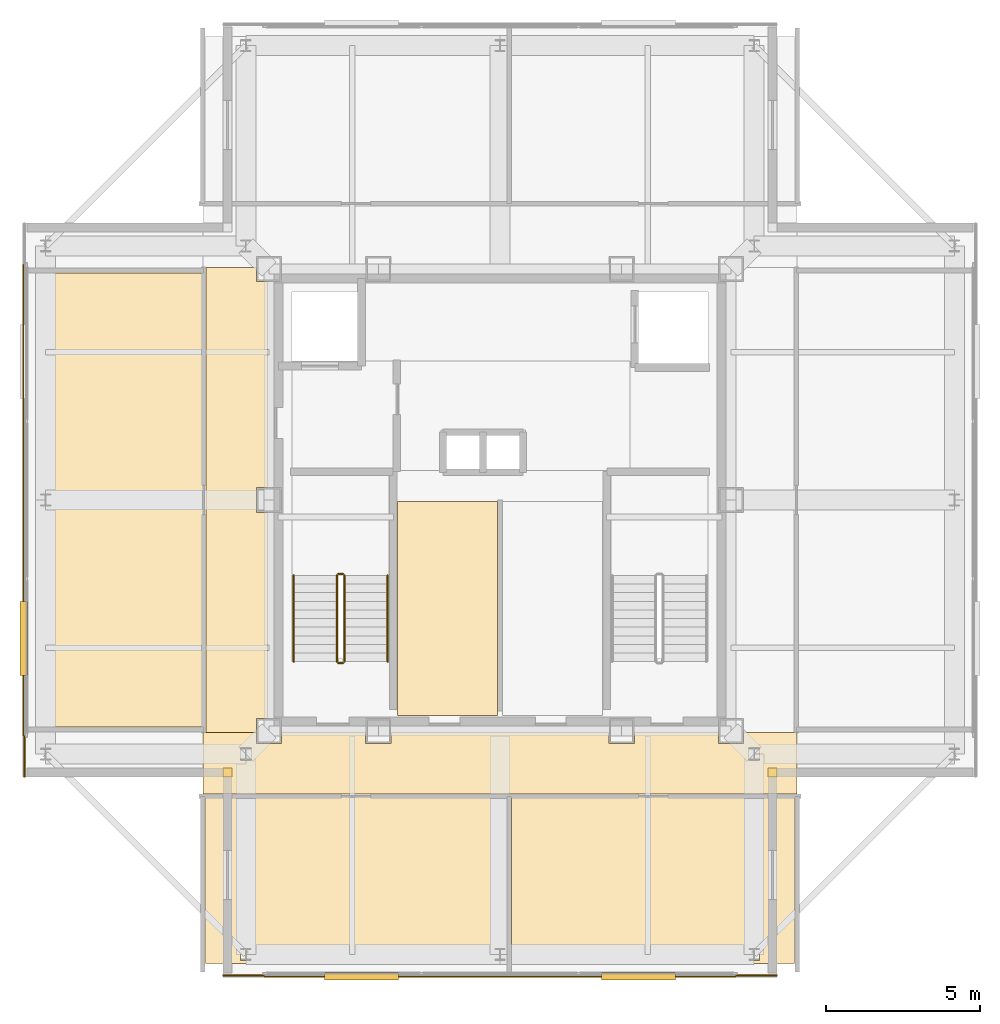
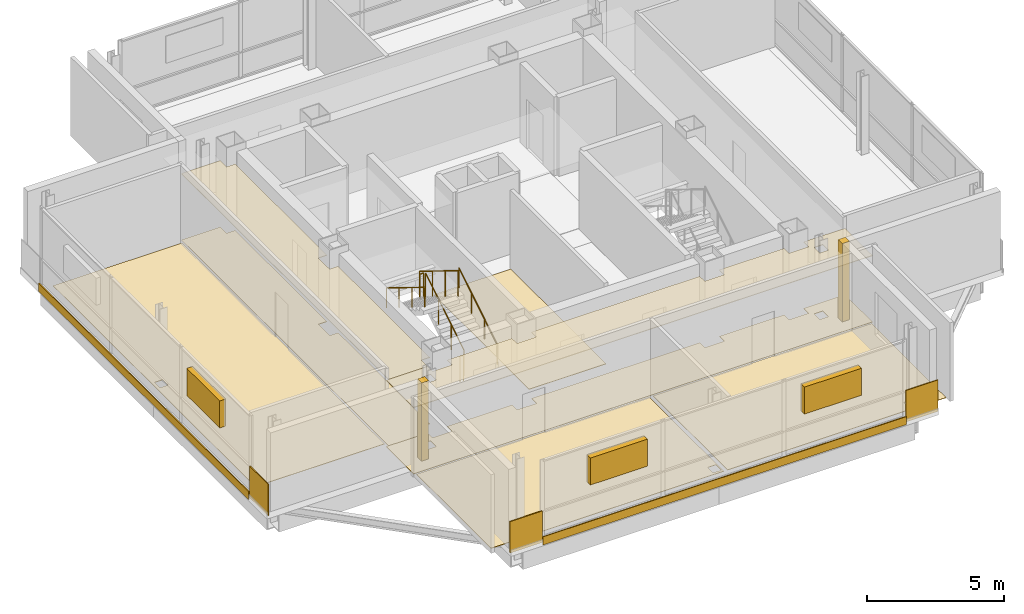
# One storey, part 8 of 10: 15 coverings, 6 railings, 3 shading devices.
"""IFC4 building model written with IfcOpenShell, lengths in metres."""

from ifc_helpers import new_model, si_unit, direction, frame, frame_2d, origin, origin_2d, place, context, subcontext, project, spatial, polyline, rectangle, circle, outline, extrude, material, layer, layer_set, type_object, element, save


model = new_model("IFC4")

# Units and contexts
model_context = context("Model", 3, precision=1e-05, world=origin(), true_north=direction((0.0, 1.0)))
body_context = subcontext(model_context, "Body", "Model", "MODEL_VIEW")
ifc_project = project(units=[si_unit("LENGTHUNIT", "METRE"), si_unit("AREAUNIT", "SQUARE_METRE"), si_unit("VOLUMEUNIT", "CUBIC_METRE"), si_unit("PLANEANGLEUNIT", "RADIAN"), si_unit("MASSUNIT", "GRAM", prefix="KILO")], contexts=[model_context])

# Site, building, storey
site_placement = place(None, origin())
site = spatial("IfcSite", under=ifc_project, at=site_placement, CompositionType="ELEMENT")
building_placement = place(site_placement, origin())
building = spatial("IfcBuilding", under=site, at=building_placement, Name="Trevonay Congress Spire", CompositionType="ELEMENT")
storey_placement = place(building_placement, frame((0.0, 0.0, 319.800048828125)))
storey = spatial("IfcBuildingStorey", under=building, at=storey_placement, Name="L84", CompositionType="ELEMENT", Elevation=319.800048828125)

# Coverings
ifc_material_1 = material(Name="Acoustic Mineral Fibre Board", Category="gypsum")
ifc_layer_1 = layer(ifc_material_1, 0.02490234375, Name="Acoustic Mineral Fibre Board")
ifc_layer_set_1 = layer_set([ifc_layer_1], Name="Acoustic Mineral Fibre Board")
covering_type_1 = type_object("IfcCoveringType", Name="COV-CEIL-ACOUSTIC", PredefinedType="CEILING", material=ifc_layer_set_1)
covering_1_placement = place(storey_placement, frame((0.0, 0.0, 2.949951171875)))
element("IfcCovering", 1, at=covering_1_placement, inside=storey, type_object=covering_type_1, Name="L84 Crown Gallery Corridor South acoustic suspended ceiling", PredefinedType="CEILING", context=body_context, shape_type="SweptSolid", body=[
    extrude(outline(polyline([(9.64990234375, -7.550048828125), (9.64990234375, -9.550048828125), (-9.64990234375, -9.550048828125), (-9.64990234375, -7.550048828125), (-7.909912109375, -7.550048828125), (-7.909912109375, -7.909912109375), (-7.090087890625, -7.909912109375), (-7.090087890625, -7.550048828125), (-4.360107421875, -7.550048828125), (-4.360107421875, -7.909912109375), (-3.5400390625, -7.909912109375), (-3.5400390625, -7.550048828125), (3.5400390625, -7.550048828125), (3.5400390625, -7.909912109375), (4.360107421875, -7.909912109375), (4.360107421875, -7.550048828125), (7.090087890625, -7.550048828125), (7.090087890625, -7.909912109375), (7.909912109375, -7.909912109375), (7.909912109375, -7.550048828125), (9.64990234375, -7.550048828125)]), holes=[polyline([(-8.429931640625, -8.04345703125), (-8.429931640625, -8.45654296875), (-8.070068359375, -8.45654296875), (-8.070068359375, -8.04345703125), (-8.429931640625, -8.04345703125)]), polyline([(8.429931640625, -8.04345703125), (8.070068359375, -8.04345703125), (8.070068359375, -8.45654296875), (8.429931640625, -8.45654296875), (8.429931640625, -8.04345703125)])]), origin(), (0.0, 0.0, 1.0), 0.02490234375),
])
covering_2_placement = place(storey_placement, frame((0.0, 0.0, 2.949951171875)))
element("IfcCovering", 2, at=covering_2_placement, inside=storey, type_object=covering_type_1, Name="L84 Crown Gallery Corridor West acoustic suspended ceiling", PredefinedType="CEILING", context=body_context, shape_type="SweptSolid", body=[
    extrude(outline(polyline([(-9.550048828125, 7.550048828125), (-7.909912109375, 7.550048828125), (-7.909912109375, 7.090087890625), (-7.550048828125, 7.090087890625), (-7.550048828125, 0.409912109375), (-7.909912109375, 0.409912109375), (-7.909912109375, -0.409912109375), (-7.550048828125, -0.409912109375), (-7.550048828125, -7.090087890625), (-7.909912109375, -7.090087890625), (-7.909912109375, -7.550048828125), (-9.550048828125, -7.550048828125), (-9.550048828125, 7.550048828125)])), origin(), (0.0, 0.0, 1.0), 0.02490234375),
])
ifc_material_2 = material(Name="Polished Granite Floor Tile", Category="masonry")
ifc_layer_2 = layer(ifc_material_2, 0.02001953125, Name="Polished Granite Floor Tile")
ifc_layer_set_2 = layer_set([ifc_layer_2], Name="Polished Granite Floor Tile")
covering_type_2 = type_object("IfcCoveringType", Name="COV-FLOOR-STONE", PredefinedType="FLOORING", material=ifc_layer_set_2)
covering_3_placement = place(storey_placement, origin())
element("IfcCovering", 3, at=covering_3_placement, inside=storey, type_object=covering_type_2, Name="L84 Core Server and IT Hub floor finish", PredefinedType="FLOORING", context=body_context, shape_type="SweptSolid", body=[
    extrude(outline(polyline([(-3.320068359375, -7.0), (-0.080078125, -7.0), (-0.080078125, -0.050048828125), (-3.320068359375, -0.050048828125), (-3.320068359375, -7.0)])), origin(), (0.0, 0.0, 1.0), 0.02001953125),
])
covering_4_placement = place(storey_placement, origin())
element("IfcCovering", 4, at=covering_4_placement, inside=storey, type_object=covering_type_2, Name="L84 Crown Gallery Corridor South floor finish", PredefinedType="FLOORING", context=body_context, shape_type="SweptSolid", body=[
    extrude(outline(polyline([(9.64990234375, -7.550048828125), (9.64990234375, -9.550048828125), (-9.64990234375, -9.550048828125), (-9.64990234375, -7.550048828125), (-7.909912109375, -7.550048828125), (-7.909912109375, -7.909912109375), (-7.090087890625, -7.909912109375), (-7.090087890625, -7.550048828125), (-4.360107421875, -7.550048828125), (-4.360107421875, -7.909912109375), (-3.5400390625, -7.909912109375), (-3.5400390625, -7.550048828125), (3.5400390625, -7.550048828125), (3.5400390625, -7.909912109375), (4.360107421875, -7.909912109375), (4.360107421875, -7.550048828125), (7.090087890625, -7.550048828125), (7.090087890625, -7.909912109375), (7.909912109375, -7.909912109375), (7.909912109375, -7.550048828125), (9.64990234375, -7.550048828125)]), holes=[polyline([(-8.429931640625, -8.04345703125), (-8.429931640625, -8.45654296875), (-8.070068359375, -8.45654296875), (-8.070068359375, -8.04345703125), (-8.429931640625, -8.04345703125)]), polyline([(8.429931640625, -8.04345703125), (8.070068359375, -8.04345703125), (8.070068359375, -8.45654296875), (8.429931640625, -8.45654296875), (8.429931640625, -8.04345703125)])]), origin(), (0.0, 0.0, 1.0), 0.02001953125),
])
covering_5_placement = place(storey_placement, origin())
element("IfcCovering", 5, at=covering_5_placement, inside=storey, type_object=covering_type_2, Name="L84 Crown Gallery Corridor West floor finish", PredefinedType="FLOORING", context=body_context, shape_type="SweptSolid", body=[
    extrude(outline(polyline([(-9.550048828125, 7.550048828125), (-7.909912109375, 7.550048828125), (-7.909912109375, 7.090087890625), (-7.550048828125, 7.090087890625), (-7.550048828125, 0.409912109375), (-7.909912109375, 0.409912109375), (-7.909912109375, -0.409912109375), (-7.550048828125, -0.409912109375), (-7.550048828125, -7.090087890625), (-7.909912109375, -7.090087890625), (-7.909912109375, -7.550048828125), (-9.550048828125, -7.550048828125), (-9.550048828125, 7.550048828125)])), origin(), (0.0, 0.0, 1.0), 0.02001953125),
])
covering_6_placement = place(storey_placement, origin())
element("IfcCovering", 6, at=covering_6_placement, inside=storey, type_object=covering_type_2, Name="L84 Crown Cooling Tower Plant floor finish", PredefinedType="FLOORING", context=body_context, shape_type="SweptSolid", body=[
    extrude(outline(polyline([(-9.570068359375, -9.6201171875), (0.219970703125, -9.6201171875), (0.219970703125, -15.050048828125), (-9.570068359375, -15.050048828125), (-9.570068359375, -9.6201171875)]), holes=[polyline([(-8.4208984375, -14.946044921875), (-8.0791015625, -14.946044921875), (-8.0791015625, -14.553955078125), (-8.4208984375, -14.553955078125), (-8.4208984375, -14.946044921875)]), polyline([(-0.1708984375, -14.946044921875), (0.1708984375, -14.946044921875), (0.1708984375, -14.553955078125), (-0.1708984375, -14.553955078125), (-0.1708984375, -14.946044921875)])]), origin(), (0.0, 0.0, 1.0), 0.02001953125),
])
covering_7_placement = place(storey_placement, origin())
element("IfcCovering", 7, at=covering_7_placement, inside=storey, type_object=covering_type_2, Name="L84 Water Treatment Plant floor finish", PredefinedType="FLOORING", context=body_context, shape_type="SweptSolid", body=[
    extrude(outline(polyline([(0.3798828125, -9.6201171875), (9.570068359375, -9.6201171875), (9.570068359375, -15.050048828125), (0.3798828125, -15.050048828125), (0.3798828125, -9.6201171875)]), holes=[polyline([(8.4208984375, -14.946044921875), (8.4208984375, -14.553955078125), (8.0791015625, -14.553955078125), (8.0791015625, -14.946044921875), (8.4208984375, -14.946044921875)])]), origin(), (0.0, 0.0, 1.0), 0.02001953125),
])
covering_8_placement = place(storey_placement, origin())
element("IfcCovering", 8, at=covering_8_placement, inside=storey, type_object=covering_type_2, Name="L84 Spire Structural Monitoring Plant floor finish", PredefinedType="FLOORING", context=body_context, shape_type="SweptSolid", body=[
    extrude(outline(polyline([(-15.050048828125, 7.3701171875), (-9.6201171875, 7.3701171875), (-9.6201171875, -7.3701171875), (-15.050048828125, -7.3701171875), (-15.050048828125, 7.3701171875)]), holes=[polyline([(-14.5791015625, -0.196044921875), (-14.5791015625, 0.196044921875), (-14.9208984375, 0.196044921875), (-14.9208984375, -0.196044921875), (-14.5791015625, -0.196044921875)])]), origin(), (0.0, 0.0, 1.0), 0.02001953125),
])
ifc_material_3 = material(Name="Pale Anodised Aluminium EN AW-6063-T6", Category="aluminium")
ifc_layer_3 = layer(ifc_material_3, 0.0400390625, Name="Pale Anodised Aluminium EN AW-6063-T6")
ifc_layer_set_3 = layer_set([ifc_layer_3], Name="Pale Anodised Aluminium EN AW-6063-T6")
covering_type_3 = type_object("IfcCoveringType", Name="COV-SPANDREL-PALE-METAL", PredefinedType="CLADDING", material=ifc_layer_set_3)
for number, where, z_axis, x_axis, name in (
    (9, (-7.64990234375, -15.47998046875, -0.239990234375), (0.0, 0.0, 1.0), (1.0, 0.0, 0.0), "L84 S pale-metal slab-edge spandrel cladding"),
    (10, (-15.47998046875, -7.64990234375, -0.239990234375), (0.0, 0.0, 1.0), (0.0, 1.0, 0.0), "L84 W pale-metal slab-edge spandrel cladding"),
):
    element("IfcCovering", number, at=place(storey_placement, frame(where, z_axis=z_axis, x_axis=x_axis)), inside=storey, type_object=covering_type_3, Name=name, PredefinedType="CLADDING", context=body_context, shape_type="SweptSolid", body=[
        extrude(rectangle(XDim=15.2998046875, YDim=0.0400390625, at=frame_2d((7.64990234375, 0.0))), origin(), (0.0, 0.0, 1.0), 0.35986328125),
    ])
covering_9_placement = place(storey_placement, origin())
element("IfcCovering", 11, at=covering_9_placement, inside=storey, type_object=covering_type_3, Name="L84 SW re-entrant notch corner closure trim", PredefinedType="CLADDING", context=body_context, shape_type="SweptSolid", body=[
    extrude(outline(polyline([(-9.0, -9.0), (-8.699951171875, -9.0), (-8.699951171875, -8.699951171875), (-9.0, -8.699951171875), (-9.0, -9.0)])), origin(), (0.0, 0.0, 1.0), 3.5),
])
for number, where, z_axis, x_axis, name in (
    (12, (-15.43994140625, -7.64990234375, -0.150146484375), (0.0, 0.0, 1.0), (0.0, -1.0, 0.0), "L84 SW corner pier spandrel cladding 1"),
    (13, (-7.64990234375, -15.43994140625, -0.150146484375), (0.0, 0.0, 1.0), (-1.0, 0.0, 0.0), "L84 SW corner pier spandrel cladding 2"),
):
    element("IfcCovering", number, at=place(storey_placement, frame(where, z_axis=z_axis, x_axis=x_axis)), inside=storey, type_object=covering_type_3, Name=name, PredefinedType="CLADDING", context=body_context, shape_type="SweptSolid", body=[
        extrude(rectangle(XDim=1.35009765625, YDim=0.0400390625, at=frame_2d((0.675048828125, 0.0))), origin(), (0.0, 0.0, 1.0), 1.400146484375),
    ])
covering_10_placement = place(storey_placement, origin())
element("IfcCovering", 14, at=covering_10_placement, inside=storey, type_object=covering_type_3, Name="L84 SE re-entrant notch corner closure trim", PredefinedType="CLADDING", context=body_context, shape_type="SweptSolid", body=[
    extrude(outline(polyline([(8.699951171875, -9.0), (9.0, -9.0), (9.0, -8.699951171875), (8.699951171875, -8.699951171875), (8.699951171875, -9.0)])), origin(), (0.0, 0.0, 1.0), 3.5),
])
covering_11_placement = place(storey_placement, frame((7.64990234375, -15.43994140625, -0.150146484375), z_axis=(0.0, 0.0, 1.0), x_axis=(1.0, 0.0, 0.0)))
element("IfcCovering", 15, at=covering_11_placement, inside=storey, type_object=covering_type_3, Name="L84 SE corner pier spandrel cladding 2", PredefinedType="CLADDING", context=body_context, shape_type="SweptSolid", body=[
    extrude(rectangle(XDim=1.35009765625, YDim=0.0400390625, at=frame_2d((0.675048828125, 0.0))), origin(), (0.0, 0.0, 1.0), 1.400146484375),
])

# Railings
railing_type_1 = type_object("IfcRailingType", Name="RAL-STAIR-GUARD-110", PredefinedType="GUARDRAIL", material=ifc_material_3)
railing_1_placement = place(storey_placement, frame((-5.050048828125, -5.25, 0.172607421875)))
element("IfcRailing", 16, at=railing_1_placement, inside=storey, type_object=railing_type_1, Name="L84 ST-1 stair guard 1", PredefinedType="GUARDRAIL", context=body_context, shape_type="SweptSolid", body=[
    extrude(circle(Radius=0.02392578125, at=origin_2d()), frame((0.0, 0.0, 1.1259765625), z_axis=(0.0, 0.851089632645, 0.525020415988), x_axis=(-1.0, 0.0, 0.0)), (0.0, 0.0, 1.0), 3.2900390625),
    extrude(circle(Radius=0.02099609375, at=origin_2d()), origin(), (0.0, 0.0, 1.0), 1.101806640625),
    extrude(circle(Radius=0.02099609375, at=origin_2d()), frame((0.0, 0.933349609375, 0.57568359375)), (0.0, 0.0, 1.0), 1.101806640625),
    extrude(circle(Radius=0.02099609375, at=origin_2d()), frame((0.0, 1.86669921875, 1.151611328125)), (0.0, 0.0, 1.0), 1.101806640625),
    extrude(circle(Radius=0.02099609375, at=origin_2d()), frame((0.0, 2.800048828125, 1.727294921875)), (0.0, 0.0, 1.0), 1.101806640625),
])
railing_2_placement = place(storey_placement, frame((-5.10009765625, -2.39990234375, 1.89990234375)))
element("IfcRailing", 17, at=railing_2_placement, inside=storey, type_object=railing_type_1, Name="L84 ST-1 stair guard 2", PredefinedType="GUARDRAIL", context=body_context, shape_type="SweptSolid", body=[
    extrude(circle(Radius=0.02392578125, at=origin_2d()), frame((0.0, 0.0, 1.1259765625), z_axis=(-1.0, 0.0, 0.0), x_axis=(0.0, -1.0, 0.0)), (0.0, 0.0, 1.0), 0.14990234375),
    extrude(circle(Radius=0.02099609375, at=origin_2d()), origin(), (0.0, 0.0, 1.0), 1.101806640625),
    extrude(circle(Radius=0.02099609375, at=origin_2d()), frame((-0.14990234375, 0.0, 0.0)), (0.0, 0.0, 1.0), 1.101806640625),
])
railing_3_placement = place(storey_placement, frame((-5.300048828125, -2.449951171875, 2.07275390625)))
element("IfcRailing", 18, at=railing_3_placement, inside=storey, type_object=railing_type_1, Name="L84 ST-1 stair guard 3", PredefinedType="GUARDRAIL", context=body_context, shape_type="SweptSolid", body=[
    extrude(circle(Radius=0.02392578125, at=origin_2d()), frame((0.0, 0.0, 1.1259765625), z_axis=(0.0, -0.851089632645, 0.525020415988), x_axis=(1.0, 0.0, 0.0)), (0.0, 0.0, 1.0), 3.2900390625),
    extrude(circle(Radius=0.02099609375, at=origin_2d()), origin(), (0.0, 0.0, 1.0), 1.101806640625),
    extrude(circle(Radius=0.02099609375, at=origin_2d()), frame((0.0, -0.933349609375, 0.57568359375)), (0.0, 0.0, 1.0), 1.101806640625),
    extrude(circle(Radius=0.02099609375, at=origin_2d()), frame((0.0, -1.86669921875, 1.151611328125)), (0.0, 0.0, 1.0), 1.101806640625),
    extrude(circle(Radius=0.02099609375, at=origin_2d()), frame((0.0, -2.800048828125, 1.727294921875)), (0.0, 0.0, 1.0), 1.101806640625),
])
railing_4_placement = place(storey_placement, frame((-5.10009765625, -5.300048828125, 0.0)))
element("IfcRailing", 19, at=railing_4_placement, inside=storey, type_object=railing_type_1, Name="L84 ST-1 stair guard 4", PredefinedType="GUARDRAIL", context=body_context, shape_type="SweptSolid", body=[
    extrude(circle(Radius=0.02392578125, at=origin_2d()), frame((0.0, 0.0, 1.1259765625), z_axis=(-1.0, 0.0, 0.0), x_axis=(0.0, -1.0, 0.0)), (0.0, 0.0, 1.0), 0.14990234375),
    extrude(circle(Radius=0.02099609375, at=origin_2d()), origin(), (0.0, 0.0, 1.0), 1.101806640625),
    extrude(circle(Radius=0.02099609375, at=origin_2d()), frame((-0.14990234375, 0.0, 0.0)), (0.0, 0.0, 1.0), 1.101806640625),
])
railing_type_2 = type_object("IfcRailingType", Name="RAL-STAIR-HANDRAIL", PredefinedType="HANDRAIL", material=ifc_material_3)
railing_5_placement = place(storey_placement, frame((-3.64990234375, -5.25, 0.172607421875)))
element("IfcRailing", 20, at=railing_5_placement, inside=storey, type_object=railing_type_2, Name="L84 ST-1 stair handrail 1", PredefinedType="HANDRAIL", context=body_context, shape_type="SweptSolid", body=[
    extrude(circle(Radius=0.02392578125, at=origin_2d()), frame((0.0, 0.0, 0.8759765625), z_axis=(0.0, 0.851089632645, 0.525020415988), x_axis=(-1.0, 0.0, 0.0)), (0.0, 0.0, 1.0), 3.2900390625),
    extrude(circle(Radius=0.02099609375, at=origin_2d()), origin(), (0.0, 0.0, 1.0), 0.851806640625),
    extrude(circle(Radius=0.02099609375, at=origin_2d()), frame((0.0, 0.933349609375, 0.57568359375)), (0.0, 0.0, 1.0), 0.851806640625),
    extrude(circle(Radius=0.02099609375, at=origin_2d()), frame((0.0, 1.86669921875, 1.151611328125)), (0.0, 0.0, 1.0), 0.851806640625),
    extrude(circle(Radius=0.02099609375, at=origin_2d()), frame((0.0, 2.800048828125, 1.727294921875)), (0.0, 0.0, 1.0), 0.851806640625),
])
railing_6_placement = place(storey_placement, frame((-6.699951171875, -2.449951171875, 2.07275390625)))
element("IfcRailing", 21, at=railing_6_placement, inside=storey, type_object=railing_type_2, Name="L84 ST-1 stair handrail 2", PredefinedType="HANDRAIL", context=body_context, shape_type="SweptSolid", body=[
    extrude(circle(Radius=0.02392578125, at=origin_2d()), frame((0.0, 0.0, 0.8759765625), z_axis=(0.0, -0.851089632645, 0.525020415988), x_axis=(1.0, 0.0, 0.0)), (0.0, 0.0, 1.0), 3.2900390625),
    extrude(circle(Radius=0.02099609375, at=origin_2d()), origin(), (0.0, 0.0, 1.0), 0.851806640625),
    extrude(circle(Radius=0.02099609375, at=origin_2d()), frame((0.0, -0.933349609375, 0.57568359375)), (0.0, 0.0, 1.0), 0.851806640625),
    extrude(circle(Radius=0.02099609375, at=origin_2d()), frame((0.0, -1.86669921875, 1.151611328125)), (0.0, 0.0, 1.0), 0.851806640625),
    extrude(circle(Radius=0.02099609375, at=origin_2d()), frame((0.0, -2.800048828125, 1.727294921875)), (0.0, 0.0, 1.0), 0.851806640625),
])

# Shading devices
shading_device_type = type_object("IfcShadingDeviceType", Name="SHD-LOUVRE-PLANT-ALUM", PredefinedType="USERDEFINED", material=ifc_material_3)
for number, where, z_axis, x_axis, name in (
    (22, (-4.5, -15.4599609375, 1.7998046875), (0.0, 0.0, 1.0), (1.0, 0.0, 0.0), "L84 S crown plant intake louvre 1"),
    (23, (4.5, -15.4599609375, 1.7998046875), (0.0, 0.0, 1.0), (1.0, 0.0, 0.0), "L84 S crown plant intake louvre 2"),
    (24, (-15.4599609375, -4.5, 1.7998046875), (0.0, 0.0, 1.0), (0.0, 1.0, 0.0), "L84 W crown plant intake louvre 1"),
):
    element("IfcShadingDevice", number, at=place(storey_placement, frame(where, z_axis=z_axis, x_axis=x_axis)), inside=storey, type_object=shading_device_type, Name=name, ObjectType="LOUVRE", PredefinedType="USERDEFINED", context=body_context, shape_type="SweptSolid", body=[
        extrude(rectangle(XDim=2.39990234375, YDim=0.25, at=origin_2d()), origin(), (0.0, 0.0, 1.0), 1.199951171875),
    ])

save(model, "model.ifc")
